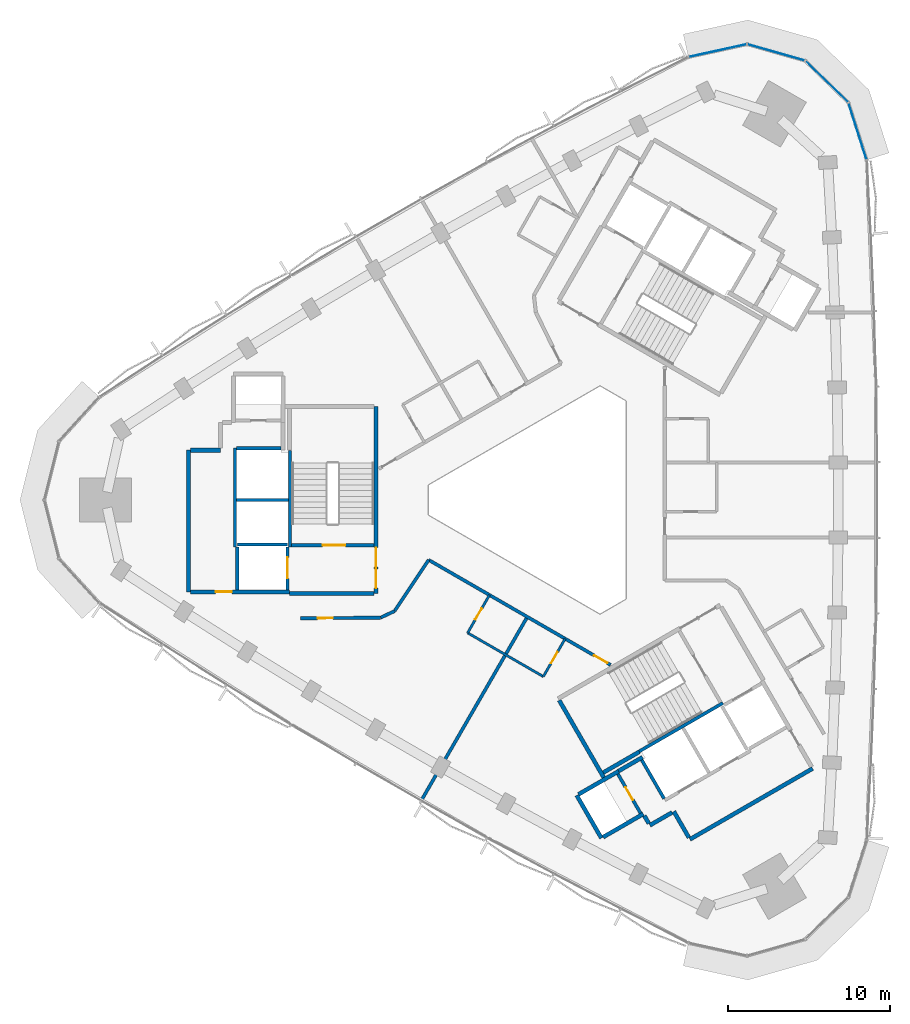
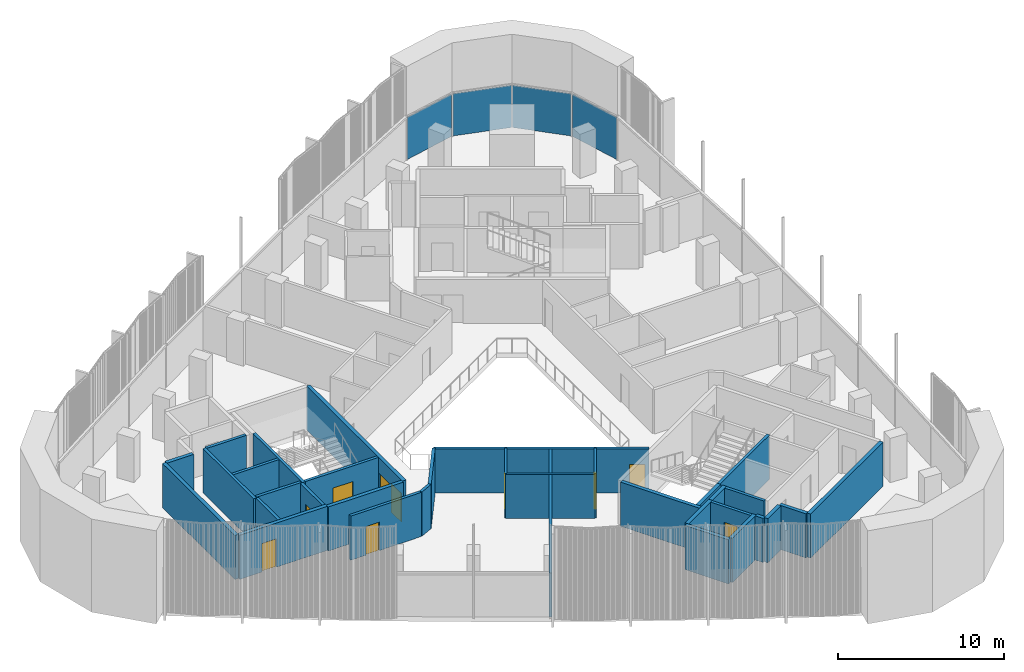
# One storey, part 7 of 13: 34 walls, 10 doors, 4 plates, 10 openings, 1 element without a shape of its own.
"""IFC4 building model written with IfcOpenShell, lengths in metres."""

from ifc_helpers import new_model, si_unit, direction, frame, frame_2d, origin, origin_2d, place, context, subcontext, project, spatial, rectangle, extrude, material, layer, layer_set, type_object, element, fill, aggregate, save


model = new_model("IFC4")

# Units and contexts
model_context = context("Model", 3, precision=1e-05, world=origin(), true_north=direction((0.0, 1.0)))
body_context = subcontext(model_context, "Body", "Model", "MODEL_VIEW")
ifc_project = project(units=[si_unit("LENGTHUNIT", "METRE"), si_unit("AREAUNIT", "SQUARE_METRE"), si_unit("VOLUMEUNIT", "CUBIC_METRE"), si_unit("PLANEANGLEUNIT", "RADIAN"), si_unit("MASSUNIT", "GRAM", prefix="KILO")], contexts=[model_context])

# Site, building, storey
site_placement = place(None, origin())
site = spatial("IfcSite", under=ifc_project, at=site_placement, CompositionType="ELEMENT")
building_placement = place(site_placement, origin())
building = spatial("IfcBuilding", under=site, at=building_placement, Name="Tamra Quay Hotel Tower", CompositionType="ELEMENT")
storey_placement = place(building_placement, frame((0.0, 0.0, 186.39990234375)))
storey = spatial("IfcBuildingStorey", under=building, at=storey_placement, Name="L46", CompositionType="ELEMENT", Elevation=186.39990234375)

# Curtain wall, plates
ifc_material_1 = material(Name="Aluminium 6063 anodised dark grey", Category="aluminium")
curtain_wall_type = type_object("IfcCurtainWallType", Name="CW1 CURTAIN WALL", PredefinedType="NOTDEFINED", material=ifc_material_1)
curtain_wall_placement = place(storey_placement, origin())
curtain_wall = element("IfcCurtainWall", 1, at=curtain_wall_placement, inside=storey, type_object=curtain_wall_type, Name="CW1 east face L46", PredefinedType="NOTDEFINED")
ifc_material_2 = material(Name="Glass clear laminated low-iron", Category="glass")
ifc_layer_1 = layer(ifc_material_2, 0.030029296875)
ifc_layer_set_1 = layer_set([ifc_layer_1], Name="GLASS PANEL CW1 Z4")
plate_type = type_object("IfcPlateType", Name="GLASS PANEL CW1 Z4", PredefinedType="CURTAIN_PANEL", material=ifc_layer_set_1)
plate_1_placement = place(storey_placement, frame((18.91064453125, 22.779541015625, 0.0), z_axis=(0.0, 0.0, 1.0), x_axis=(-0.303410479682, 0.952859948166, 0.0)))
plate_1 = element("IfcPlate", 2, at=plate_1_placement, type_object=plate_type, Name="CW1 glass L46.E.10", PredefinedType="CURTAIN_PANEL", context=body_context, shape_type="SweptSolid", body=[
    extrude(rectangle(XDim=3.62353515625, YDim=0.030029296875, at=origin_2d()), origin(), (0.0, 0.0, 1.0), 3.110107421875),
])
plate_2_placement = place(storey_placement, frame((17.009033203125, 25.849365234375, 0.0), z_axis=(0.0, 0.0, 1.0), x_axis=(-0.717974699393, 0.696069199888, 0.0)))
plate_2 = element("IfcPlate", 3, at=plate_2_placement, type_object=plate_type, Name="CW1 glass L46.E.11", PredefinedType="CURTAIN_PANEL", context=body_context, shape_type="SweptSolid", body=[
    extrude(rectangle(XDim=3.62353515625, YDim=0.030029296875, at=origin_2d()), origin(), (0.0, 0.0, 1.0), 3.110107421875),
])
plate_3_placement = place(storey_placement, frame((13.881591796875, 27.655029296875, 0.0), z_axis=(0.0, 0.0, 1.0), x_axis=(-0.961800959591, 0.273749729005, 0.0)))
plate_3 = element("IfcPlate", 4, at=plate_3_placement, type_object=plate_type, Name="CW1 glass L46.E.12", PredefinedType="CURTAIN_PANEL", context=body_context, shape_type="SweptSolid", body=[
    extrude(rectangle(XDim=3.62353515625, YDim=0.030029296875, at=origin_2d()), origin(), (0.0, 0.0, 1.0), 3.110107421875),
])
plate_4_placement = place(storey_placement, frame((10.272216796875, 27.766845703125, 0.0), z_axis=(0.0, 0.0, 1.0), x_axis=(-0.976906161202, -0.213668790904, 0.0)))
plate_4 = element("IfcPlate", 5, at=plate_4_placement, type_object=plate_type, Name="CW1 glass L46.E.13", PredefinedType="CURTAIN_PANEL", context=body_context, shape_type="SweptSolid", body=[
    extrude(rectangle(XDim=3.62353515625, YDim=0.030029296875, at=origin_2d()), origin(), (0.0, 0.0, 1.0), 3.110107421875),
])
aggregate(curtain_wall, [plate_1, plate_2, plate_3, plate_4])

# Walls
ifc_material_3 = material(Name="Concrete M70", Category="concrete")
ifc_layer_2 = layer(ifc_material_3, 0.199951171875)
ifc_layer_set_2 = layer_set([ifc_layer_2], Name="Concrete M70 core wall 200")
wall_type_1 = type_object("IfcWallType", Name="Concrete M70 core wall 200", PredefinedType="SHEAR", material=ifc_layer_set_2)
wall_1_placement = place(storey_placement, frame((-16.162109375, 3.073974609375, 0.0), z_axis=(0.0, 0.0, 1.0), x_axis=(0.0, -1.0, 0.0)))
element("IfcWall", 6, at=wall_1_placement, inside=storey, type_object=wall_type_1, Name="CW2", PredefinedType="SHEAR", context=body_context, shape_type="SweptSolid", body=[
    extrude(rectangle(XDim=5.97412109375, YDim=0.199951171875, at=frame_2d((2.987060546875, 0.0))), origin(), (0.0, 0.0, 1.0), 3.25),
])
wall_2_placement = place(storey_placement, frame((-19.5625, -2.900146484375, 0.0), z_axis=(0.0, 0.0, 1.0), x_axis=(0.0, 1.0, 0.0)))
element("IfcWall", 7, at=wall_2_placement, inside=storey, type_object=wall_type_1, Name="CW2", PredefinedType="SHEAR", context=body_context, shape_type="SweptSolid", body=[
    extrude(rectangle(XDim=6.100341796875, YDim=0.199951171875, at=frame_2d((3.05029296875, 0.0))), origin(), (0.0, 0.0, 1.0), 3.25),
])

# Wall, opening, door
wall_3_placement = place(storey_placement, frame((-10.96337890625, -2.800048828125, 0.0), z_axis=(0.0, 0.0, 1.0), x_axis=(-1.0, 0.0, 0.0)))
wall_3 = element("IfcWall", 8, at=wall_3_placement, inside=storey, type_object=wall_type_1, Name="CW2", PredefinedType="SHEAR", context=body_context, shape_type="SweptSolid", body=[
    extrude(rectangle(XDim=5.097900390625, YDim=0.199951171875, at=frame_2d((2.548828125, 0.0))), origin(), (0.0, 0.0, 1.0), 3.25),
])
opening_1_placement = place(wall_3_placement, frame((1.77392578125, 0.0, 0.0)))
opening_1 = element("IfcOpeningElement", 9, at=opening_1_placement, cuts=wall_3, Name="Opening FD2", PredefinedType="OPENING", context=body_context, shape_type="SweptSolid", body=[
    extrude(rectangle(XDim=1.39990234375, YDim=2.10009765625, at=frame_2d((0.699951171875, 1.050048828125))), frame((0.0, 0.10986328125, 0.0), z_axis=(0.0, -1.0, 0.0), x_axis=(1.0, 0.0, 0.0)), (0.0, 0.0, 1.0), 0.219970703125),
])
ifc_material_4 = material(Name="Core door FD2 1400x2100 LH")
door_type_1 = type_object("IfcDoorType", Name="Core door FD2 1400x2100 LH", OperationType="NOTDEFINED", PredefinedType="DOOR", material=ifc_material_4)
door_1_placement = place(opening_1_placement, origin())
door_1 = element("IfcDoor", 10, at=door_1_placement, inside=storey, type_object=door_type_1, Name="FD2", OperationType="SINGLE_SWING_LEFT", OverallHeight=2.10009765625, OverallWidth=1.39990234375, PredefinedType="DOOR", context=body_context, shape_type="SweptSolid", body=[
    extrude(rectangle(XDim=1.39990234375, YDim=2.10009765625, at=frame_2d((0.699951171875, 1.050048828125))), frame((0.0, 0.02490234375, 0.0), z_axis=(0.0, -1.0, 0.0), x_axis=(1.0, 0.0, 0.0)), (0.0, 0.0, 1.0), 0.050048828125),
])
fill(opening_1, door_1)

# Walls
wall_4_placement = place(storey_placement, frame((-16.26318359375, 0.0, 0.0), z_axis=(0.0, 0.0, 1.0), x_axis=(-1.0, 0.0, 0.0)))
element("IfcWall", 11, at=wall_4_placement, inside=storey, type_object=wall_type_1, Name="CW2", PredefinedType="SHEAR", context=body_context, shape_type="SweptSolid", body=[
    extrude(rectangle(XDim=3.1982421875, YDim=0.199951171875, at=frame_2d((1.59912109375, 0.0))), origin(), (0.0, 0.0, 1.0), 3.25),
])
wall_5_placement = place(storey_placement, frame((-19.46240234375, 3.2001953125, 0.0), z_axis=(0.0, 0.0, 1.0), x_axis=(1.0, 0.0, 0.0)))
element("IfcWall", 12, at=wall_5_placement, inside=storey, type_object=wall_type_1, Name="CW2", PredefinedType="SHEAR", context=body_context, shape_type="SweptSolid", body=[
    extrude(rectangle(XDim=2.759033203125, YDim=0.199951171875, at=frame_2d((1.37939453125, 0.0))), origin(), (0.0, 0.0, 1.0), 3.25),
])
wall_6_placement = place(storey_placement, frame((-19.412353515625, -2.75, 0.0), z_axis=(0.0, 0.0, 1.0), x_axis=(1.0, 0.0, 0.0)))
element("IfcWall", 13, at=wall_6_placement, inside=storey, type_object=wall_type_1, Name="CW2", PredefinedType="SHEAR", context=body_context, shape_type="SweptSolid", body=[
    extrude(rectangle(XDim=3.10009765625, YDim=0.199951171875, at=frame_2d((1.550048828125, 0.0))), origin(), (0.0, 0.0, 1.0), 3.25),
])

# Wall, opening, door
wall_7_placement = place(storey_placement, frame((-16.312255859375, -2.898193359375, 0.0), z_axis=(0.0, 0.0, 1.0), x_axis=(0.0, -1.0, 0.0)))
wall_7 = element("IfcWall", 14, at=wall_7_placement, inside=storey, type_object=wall_type_1, Name="CW2", PredefinedType="SHEAR", context=body_context, shape_type="SweptSolid", body=[
    extrude(rectangle(XDim=2.65087890625, YDim=0.199951171875, at=frame_2d((1.325439453125, 0.0))), origin(), (0.0, 0.0, 1.0), 3.25),
])
opening_2_placement = place(wall_7_placement, frame((0.65185546875, 0.0, 0.0)))
opening_2 = element("IfcOpeningElement", 15, at=opening_2_placement, cuts=wall_7, Name="Opening LD", PredefinedType="OPENING", context=body_context, shape_type="SweptSolid", body=[
    extrude(rectangle(XDim=1.300048828125, YDim=2.10009765625, at=frame_2d((0.64990234375, 1.050048828125))), frame((0.0, 0.10986328125, 0.0), z_axis=(0.0, -1.0, 0.0), x_axis=(1.0, 0.0, 0.0)), (0.0, 0.0, 1.0), 0.219970703125),
])
ifc_material_5 = material(Name="Landing door LD 1300 sliding to left")
door_type_2 = type_object("IfcDoorType", Name="Landing door LD 1300 sliding to left", OperationType="NOTDEFINED", PredefinedType="DOOR", material=ifc_material_5)
door_2_placement = place(opening_2_placement, origin())
door_2 = element("IfcDoor", 16, at=door_2_placement, inside=storey, type_object=door_type_2, Name="LD", OperationType="SLIDING_TO_LEFT", OverallHeight=2.10009765625, OverallWidth=1.300048828125, PredefinedType="DOOR", context=body_context, shape_type="SweptSolid", body=[
    extrude(rectangle(XDim=1.300048828125, YDim=2.10009765625, at=frame_2d((0.64990234375, 1.050048828125))), frame((0.0, 0.02490234375, 0.0), z_axis=(0.0, -1.0, 0.0), x_axis=(1.0, 0.0, 0.0)), (0.0, 0.0, 1.0), 0.050048828125),
])
fill(opening_2, door_2)

# Walls
wall_8_placement = place(storey_placement, frame((-19.412353515625, -5.549072265625, 0.0), z_axis=(0.0, 0.0, 1.0), x_axis=(0.0, 1.0, 0.0)))
element("IfcWall", 17, at=wall_8_placement, inside=storey, type_object=wall_type_1, Name="CW2", PredefinedType="SHEAR", context=body_context, shape_type="SweptSolid", body=[
    extrude(rectangle(XDim=2.65087890625, YDim=0.199951171875, at=frame_2d((1.325439453125, 0.0))), origin(), (0.0, 0.0, 1.0), 3.25),
])
wall_9_placement = place(storey_placement, frame((5.4189453125, -15.533935546875, 0.0), z_axis=(0.0, 0.0, 1.0), x_axis=(0.866029065029, 0.499993658486, 0.0)))
element("IfcWall", 18, at=wall_9_placement, inside=storey, type_object=wall_type_1, Name="CW2", PredefinedType="SHEAR", context=body_context, shape_type="SweptSolid", body=[
    extrude(rectangle(XDim=5.97412109375, YDim=0.199951171875, at=frame_2d((2.987060546875, 0.0))), origin(), (0.0, 0.0, 1.0), 3.25),
])

# Wall, opening, door
wall_10_placement = place(storey_placement, frame((5.50341796875, -19.352294921875, 0.0), z_axis=(0.0, 0.0, 1.0), x_axis=(-0.499986818241, 0.866033014143, 0.0)))
wall_10 = element("IfcWall", 19, at=wall_10_placement, inside=storey, type_object=wall_type_1, Name="CW2", PredefinedType="SHEAR", context=body_context, shape_type="SweptSolid", body=[
    extrude(rectangle(XDim=2.7978515625, YDim=0.199951171875, at=frame_2d((1.39892578125, 0.0))), origin(), (0.0, 0.0, 1.0), 3.25),
])
opening_3_placement = place(wall_10_placement, frame((0.948974609375, 0.0, 0.0)))
opening_3 = element("IfcOpeningElement", 20, at=opening_3_placement, cuts=wall_10, Name="Opening D1", PredefinedType="OPENING", context=body_context, shape_type="SweptSolid", body=[
    extrude(rectangle(XDim=0.89990234375, YDim=2.10009765625, at=frame_2d((0.449951171875, 1.050048828125))), frame((0.0, 0.10986328125, 0.0), z_axis=(0.0, -1.0, 0.0), x_axis=(1.0, 0.0, 0.0)), (0.0, 0.0, 1.0), 0.219970703125),
])
ifc_material_6 = material(Name="Core door D1 900x2100 LH")
door_type_3 = type_object("IfcDoorType", Name="Core door D1 900x2100 LH", OperationType="NOTDEFINED", PredefinedType="DOOR", material=ifc_material_6)
door_3_placement = place(opening_3_placement, origin())
door_3 = element("IfcDoor", 21, at=door_3_placement, inside=storey, type_object=door_type_3, Name="D1", OperationType="SINGLE_SWING_LEFT", OverallHeight=2.10009765625, OverallWidth=0.89990234375, PredefinedType="DOOR", context=body_context, shape_type="SweptSolid", body=[
    extrude(rectangle(XDim=0.89990234375, YDim=2.10009765625, at=frame_2d((0.449951171875, 1.050048828125))), frame((0.0, 0.02490234375, 0.0), z_axis=(0.0, -1.0, 0.0), x_axis=(1.0, 0.0, 0.0)), (0.0, 0.0, 1.0), 0.050048828125),
])
fill(opening_3, door_3)

# Wall
wall_11_placement = place(storey_placement, frame((6.959716796875, -18.455078125, 0.0), z_axis=(0.0, 0.0, 1.0), x_axis=(-0.499926705758, 0.866067716099, 0.0)))
element("IfcWall", 22, at=wall_11_placement, inside=storey, type_object=wall_type_1, Name="CW2", PredefinedType="SHEAR", context=body_context, shape_type="SweptSolid", body=[
    extrude(rectangle(XDim=2.75927734375, YDim=0.199951171875, at=frame_2d((1.379638671875, 0.0))), origin(), (0.0, 0.0, 1.0), 3.25),
])

# Wall, openings, doors
ifc_layer_3 = layer(ifc_material_3, 0.25)
ifc_layer_set_3 = layer_set([ifc_layer_3], Name="Concrete M70 core wall 250")
wall_type_2 = type_object("IfcWallType", Name="Concrete M70 core wall 250", PredefinedType="SHEAR", material=ifc_layer_set_3)
wall_12_placement = place(storey_placement, frame((-10.83740234375, 5.77490234375, 0.0), z_axis=(0.0, 0.0, 1.0), x_axis=(0.0, -1.0, 0.0)))
wall_12 = element("IfcWall", 23, at=wall_12_placement, inside=storey, type_object=wall_type_2, Name="CW1", PredefinedType="SHEAR", context=body_context, shape_type="SweptSolid", body=[
    extrude(rectangle(XDim=11.5498046875, YDim=0.25, at=frame_2d((5.77490234375, 0.0))), origin(), (0.0, 0.0, 1.0), 3.25),
])
opening_4_placement = place(wall_12_placement, frame((10.02490234375, 0.0, 0.0)))
opening_4 = element("IfcOpeningElement", 24, at=opening_4_placement, cuts=wall_12, Name="Opening FD1", PredefinedType="OPENING", context=body_context, shape_type="SweptSolid", body=[
    extrude(rectangle(XDim=1.199951171875, YDim=2.10009765625, at=frame_2d((0.60009765625, 1.050048828125))), frame((0.0, 0.135009765625, 0.0), z_axis=(0.0, -1.0, 0.0), x_axis=(1.0, 0.0, 0.0)), (0.0, 0.0, 1.0), 0.27001953125),
])
opening_5_placement = place(wall_12_placement, frame((8.72509765625, 0.0, 0.0)))
opening_5 = element("IfcOpeningElement", 25, at=opening_5_placement, cuts=wall_12, Name="Opening FD1", PredefinedType="OPENING", context=body_context, shape_type="SweptSolid", body=[
    extrude(rectangle(XDim=1.199951171875, YDim=2.10009765625, at=frame_2d((0.60009765625, 1.050048828125))), frame((0.0, 0.135009765625, 0.0), z_axis=(0.0, -1.0, 0.0), x_axis=(1.0, 0.0, 0.0)), (0.0, 0.0, 1.0), 0.27001953125),
])
ifc_material_7 = material(Name="Core door FD1 1200x2100 LH")
door_type_4 = type_object("IfcDoorType", Name="Core door FD1 1200x2100 LH", OperationType="NOTDEFINED", PredefinedType="DOOR", material=ifc_material_7)
door_4_placement = place(opening_4_placement, origin())
door_4 = element("IfcDoor", 26, at=door_4_placement, inside=storey, type_object=door_type_4, Name="FD1", OperationType="SINGLE_SWING_LEFT", OverallHeight=2.10009765625, OverallWidth=1.199951171875, PredefinedType="DOOR", context=body_context, shape_type="SweptSolid", body=[
    extrude(rectangle(XDim=1.199951171875, YDim=2.10009765625, at=frame_2d((0.60009765625, 1.050048828125))), frame((0.0, 0.02490234375, 0.0), z_axis=(0.0, -1.0, 0.0), x_axis=(1.0, 0.0, 0.0)), (0.0, 0.0, 1.0), 0.050048828125),
])
fill(opening_4, door_4)
ifc_material_8 = material(Name="Core door FD1 1200x2100 RH")
door_type_5 = type_object("IfcDoorType", Name="Core door FD1 1200x2100 RH", OperationType="NOTDEFINED", PredefinedType="DOOR", material=ifc_material_8)
door_5_placement = place(opening_5_placement, origin())
door_5 = element("IfcDoor", 27, at=door_5_placement, inside=storey, type_object=door_type_5, Name="FD1", OperationType="SINGLE_SWING_RIGHT", OverallHeight=2.10009765625, OverallWidth=1.199951171875, PredefinedType="DOOR", context=body_context, shape_type="SweptSolid", body=[
    extrude(rectangle(XDim=1.199951171875, YDim=2.10009765625, at=frame_2d((0.60009765625, 1.050048828125))), frame((0.0, 0.02490234375, 0.0), z_axis=(0.0, -1.0, 0.0), x_axis=(1.0, 0.0, 0.0)), (0.0, 0.0, 1.0), 0.050048828125),
])
fill(opening_5, door_5)

# Wall
wall_13_placement = place(storey_placement, frame((-22.437255859375, -5.675048828125, 0.0), z_axis=(0.0, 0.0, 1.0), x_axis=(0.0, 1.0, 0.0)))
element("IfcWall", 28, at=wall_13_placement, inside=storey, type_object=wall_type_2, Name="CW1", PredefinedType="SHEAR", context=body_context, shape_type="SweptSolid", body=[
    extrude(rectangle(XDim=8.75, YDim=0.25, at=frame_2d((4.375, 0.0))), origin(), (0.0, 0.0, 1.0), 3.25),
])

# Wall, opening, door
wall_14_placement = place(storey_placement, frame((-16.187255859375, -5.675048828125, 0.0), z_axis=(0.0, 0.0, 1.0), x_axis=(-1.0, 0.0, 0.0)))
wall_14 = element("IfcWall", 29, at=wall_14_placement, inside=storey, type_object=wall_type_2, Name="CW1", PredefinedType="SHEAR", context=body_context, shape_type="SweptSolid", body=[
    extrude(rectangle(XDim=6.12451171875, YDim=0.25, at=frame_2d((3.062255859375, 0.0))), origin(), (0.0, 0.0, 1.0), 3.25),
])
opening_6_placement = place(wall_14_placement, frame((3.562744140625, 0.0, 0.0)))
opening_6 = element("IfcOpeningElement", 30, at=opening_6_placement, cuts=wall_14, Name="Opening FD3", PredefinedType="OPENING", context=body_context, shape_type="SweptSolid", body=[
    extrude(rectangle(XDim=1.0, YDim=2.10009765625, at=frame_2d((0.5, 1.050048828125))), frame((0.0, 0.135009765625, 0.0), z_axis=(0.0, -1.0, 0.0), x_axis=(1.0, 0.0, 0.0)), (0.0, 0.0, 1.0), 0.27001953125),
])
ifc_material_9 = material(Name="Core door FD3 1000x2100 LH")
door_type_6 = type_object("IfcDoorType", Name="Core door FD3 1000x2100 LH", OperationType="NOTDEFINED", PredefinedType="DOOR", material=ifc_material_9)
door_6_placement = place(opening_6_placement, origin())
door_6 = element("IfcDoor", 31, at=door_6_placement, inside=storey, type_object=door_type_6, Name="FD3", OperationType="SINGLE_SWING_LEFT", OverallHeight=2.10009765625, OverallWidth=1.0, PredefinedType="DOOR", context=body_context, shape_type="SweptSolid", body=[
    extrude(rectangle(XDim=1.0, YDim=2.10009765625, at=frame_2d((0.5, 1.050048828125))), frame((0.0, 0.02490234375, 0.0), z_axis=(0.0, -1.0, 0.0), x_axis=(1.0, 0.0, 0.0)), (0.0, 0.0, 1.0), 0.050048828125),
])
fill(opening_6, door_6)

# Walls
wall_15_placement = place(storey_placement, frame((-10.962646484375, -5.77490234375, 0.0), z_axis=(0.0, 0.0, 1.0), x_axis=(-1.0, 0.0, 0.0)))
element("IfcWall", 32, at=wall_15_placement, inside=storey, type_object=wall_type_2, Name="CW1", PredefinedType="SHEAR", context=body_context, shape_type="SweptSolid", body=[
    extrude(rectangle(XDim=5.224609375, YDim=0.25, at=frame_2d((2.6123046875, 0.0))), origin(), (0.0, 0.0, 1.0), 3.25),
])
wall_16_placement = place(storey_placement, frame((-22.311767578125, 3.074951171875, 0.0), z_axis=(0.0, 0.0, 1.0), x_axis=(1.0, 0.0, 0.0)))
element("IfcWall", 33, at=wall_16_placement, inside=storey, type_object=wall_type_2, Name="CW1", PredefinedType="SHEAR", context=body_context, shape_type="SweptSolid", body=[
    extrude(rectangle(XDim=1.864501953125, YDim=0.25, at=frame_2d((0.93212890625, 0.0))), origin(), (0.0, 0.0, 1.0), 3.25),
])
wall_17_placement = place(storey_placement, frame((16.13330078125, -16.59375, 0.0), z_axis=(0.0, 0.0, 1.0), x_axis=(-0.866022959057, -0.500004234368, 0.0)))
element("IfcWall", 34, at=wall_17_placement, inside=storey, type_object=wall_type_2, Name="CW1", PredefinedType="SHEAR", context=body_context, shape_type="SweptSolid", body=[
    extrude(rectangle(XDim=8.75, YDim=0.25, at=frame_2d((4.375, 0.0))), origin(), (0.0, 0.0, 1.0), 3.25),
])
wall_18_placement = place(storey_placement, frame((3.23486328125, -17.15283203125, 0.0), z_axis=(0.0, 0.0, 1.0), x_axis=(-0.500008851346, 0.866020293397, 0.0)))
element("IfcWall", 35, at=wall_18_placement, inside=storey, type_object=wall_type_2, Name="CW1", PredefinedType="SHEAR", context=body_context, shape_type="SweptSolid", body=[
    extrude(rectangle(XDim=5.509765625, YDim=0.25, at=frame_2d((2.7548828125, 0.0))), origin(), (0.0, 0.0, 1.0), 3.25),
])
wall_19_placement = place(storey_placement, frame((3.085205078125, -20.893798828125, 0.0), z_axis=(0.0, 0.0, 1.0), x_axis=(-0.499978833458, 0.866037623948, 0.0)))
element("IfcWall", 36, at=wall_19_placement, inside=storey, type_object=wall_type_2, Name="CW1", PredefinedType="SHEAR", context=body_context, shape_type="SweptSolid", body=[
    extrude(rectangle(XDim=3.050048828125, YDim=0.25, at=frame_2d((1.52490234375, 0.0))), origin(), (0.0, 0.0, 1.0), 3.25),
])
wall_20_placement = place(storey_placement, frame((1.6689453125, -18.189697265625, 0.0), z_axis=(0.0, 0.0, 1.0), x_axis=(0.866042235819, 0.499970844928, 0.0)))
element("IfcWall", 37, at=wall_20_placement, inside=storey, type_object=wall_type_2, Name="CW1", PredefinedType="SHEAR", context=body_context, shape_type="SweptSolid", body=[
    extrude(rectangle(XDim=2.864501953125, YDim=0.25, at=frame_2d((1.43212890625, 0.0))), origin(), (0.0, 0.0, 1.0), 3.25),
])
wall_21_placement = place(storey_placement, frame((5.6748046875, -19.39892578125, 0.0), z_axis=(0.0, 0.0, 1.0), x_axis=(-0.866026637627, -0.499997862916, 0.0)))
element("IfcWall", 38, at=wall_21_placement, inside=storey, type_object=wall_type_2, Name="CW1", PredefinedType="SHEAR", context=body_context, shape_type="SweptSolid", body=[
    extrude(rectangle(XDim=2.86474609375, YDim=0.25, at=frame_2d((1.432373046875, 0.0))), origin(), (0.0, 0.0, 1.0), 3.25),
])
wall_22_placement = place(storey_placement, frame((5.4306640625, -15.55615234375, 0.0), z_axis=(0.0, 0.0, 1.0), x_axis=(-0.866022940537, -0.500004266446, 0.0)))
element("IfcWall", 39, at=wall_22_placement, inside=storey, type_object=wall_type_2, Name="CW1", PredefinedType="SHEAR", context=body_context, shape_type="SweptSolid", body=[
    extrude(rectangle(XDim=2.57470703125, YDim=0.25, at=frame_2d((1.287353515625, 0.0))), origin(), (0.0, 0.0, 1.0), 3.25),
])
wall_23_placement = place(storey_placement, frame((8.492919921875, -20.860107421875, 0.0), z_axis=(0.0, 0.0, 1.0), x_axis=(-0.500039802285, 0.866002422705, 0.0)))
element("IfcWall", 40, at=wall_23_placement, inside=storey, type_object=wall_type_2, Name="CW1", PredefinedType="SHEAR", context=body_context, shape_type="SweptSolid", body=[
    extrude(rectangle(XDim=1.864501953125, YDim=0.25, at=frame_2d((0.93212890625, 0.0))), origin(), (0.0, 0.0, 1.0), 3.25),
])
wall_24_placement = place(storey_placement, frame((4.144775390625, -16.748779296875, 0.0), z_axis=(0.0, 0.0, 1.0), x_axis=(0.866038183914, 0.499977863513, 0.0)))
element("IfcWall", 41, at=wall_24_placement, inside=storey, type_object=wall_type_2, Name="CW1", PredefinedType="SHEAR", context=body_context, shape_type="SweptSolid", body=[
    extrude(rectangle(XDim=1.7099609375, YDim=0.25, at=frame_2d((0.85498046875, 0.0))), origin(), (0.0, 0.0, 1.0), 3.25),
])
wall_25_placement = place(storey_placement, frame((7.451904296875, -19.30810546875, 0.0), z_axis=(0.0, 0.0, 1.0), x_axis=(-0.866044474677, -0.49996696679, 0.0)))
element("IfcWall", 42, at=wall_25_placement, inside=storey, type_object=wall_type_2, Name="CW1", PredefinedType="SHEAR", context=body_context, shape_type="SweptSolid", body=[
    extrude(rectangle(XDim=1.58447265625, YDim=0.25, at=frame_2d((0.792236328125, 0.0))), origin(), (0.0, 0.0, 1.0), 3.25),
])
wall_26_placement = place(storey_placement, frame((6.01708984375, -19.99169921875, 0.0), z_axis=(0.0, 0.0, 1.0), x_axis=(-0.500364886717, 0.865814633822, 0.0)))
element("IfcWall", 43, at=wall_26_placement, inside=storey, type_object=wall_type_2, Name="CW1", PredefinedType="SHEAR", context=body_context, shape_type="SweptSolid", body=[
    extrude(rectangle(XDim=0.55908203125, YDim=0.25, at=frame_2d((0.279541015625, 0.0))), origin(), (0.0, 0.0, 1.0), 3.25),
])

# Wall, opening, door
ifc_material_10 = material(Name="Partition corridor wall")
ifc_layer_4 = layer(ifc_material_10, 0.199951171875)
ifc_layer_set_4 = layer_set([ifc_layer_4], Name="Partition corridor wall")
wall_type_3 = type_object("IfcWallType", Name="Partition corridor wall", PredefinedType="PARTITIONING", material=ifc_layer_set_4)
wall_27_placement = place(storey_placement, frame((-15.5, -7.31005859375, 0.0), z_axis=(0.0, 0.0, 1.0), x_axis=(0.999965631649, 0.008290688749, 0.0)))
wall_27 = element("IfcWall", 44, at=wall_27_placement, inside=storey, type_object=wall_type_3, Name="W-C", PredefinedType="PARTITIONING", context=body_context, shape_type="SweptSolid", body=[
    extrude(rectangle(XDim=4.947265625, YDim=0.199951171875, at=frame_2d((2.4736328125, 0.0))), origin(), (0.0, 0.0, 1.0), 3.25),
])
opening_7_placement = place(wall_27_placement, frame((1.047119140625, 0.0, 0.0)))
opening_7 = element("IfcOpeningElement", 45, at=opening_7_placement, cuts=wall_27, Name="Opening L46-D007", PredefinedType="OPENING", context=body_context, shape_type="SweptSolid", body=[
    extrude(rectangle(XDim=0.949951171875, YDim=2.10009765625, at=frame_2d((0.47509765625, 1.050048828125))), frame((0.0, 0.10986328125, 0.0), z_axis=(0.0, -1.0, 0.0), x_axis=(1.0, 0.0, 0.0)), (0.0, 0.0, 1.0), 0.219970703125),
])
ifc_material_11 = material(Name="Door guest room 950x2100")
door_type_7 = type_object("IfcDoorType", Name="Door guest room 950x2100", OperationType="NOTDEFINED", PredefinedType="DOOR", material=ifc_material_11)
door_7_placement = place(opening_7_placement, frame((0.949951171875, 0.0, 0.0), z_axis=(0.0, 0.0, 1.0), x_axis=(-1.0, 0.0, 0.0)))
door_7 = element("IfcDoor", 46, at=door_7_placement, inside=storey, type_object=door_type_7, Name="L46-D007", OperationType="SINGLE_SWING_LEFT", OverallHeight=2.10009765625, OverallWidth=0.949951171875, PredefinedType="DOOR", context=body_context, shape_type="SweptSolid", body=[
    extrude(rectangle(XDim=0.949951171875, YDim=2.10009765625, at=frame_2d((0.47509765625, 1.050048828125))), frame((0.0, 0.02490234375, 0.0), z_axis=(0.0, -1.0, 0.0), x_axis=(1.0, 0.0, 0.0)), (0.0, 0.0, 1.0), 0.050048828125),
])
fill(opening_7, door_7)

# Walls
wall_28_placement = place(storey_placement, frame((-10.552001953125, -7.26806640625, 0.0), z_axis=(0.0, 0.0, 1.0), x_axis=(0.904331815333, 0.426830139255, 0.0)))
element("IfcWall", 47, at=wall_28_placement, inside=storey, type_object=wall_type_3, Name="W-C", PredefinedType="PARTITIONING", context=body_context, shape_type="SweptSolid", body=[
    extrude(rectangle(XDim=0.9443359375, YDim=0.199951171875, at=frame_2d((0.47216796875, 0.0))), origin(), (0.0, 0.0, 1.0), 3.25),
])
wall_29_placement = place(storey_placement, frame((-9.697021484375, -6.864013671875, 0.0), z_axis=(0.0, 0.0, 1.0), x_axis=(0.554670545446, 0.832070060761, 0.0)))
element("IfcWall", 48, at=wall_29_placement, inside=storey, type_object=wall_type_3, Name="W-C", PredefinedType="PARTITIONING", context=body_context, shape_type="SweptSolid", body=[
    extrude(rectangle(XDim=3.80029296875, YDim=0.199951171875, at=frame_2d((1.900146484375, 0.0))), origin(), (0.0, 0.0, 1.0), 3.25),
])

# Wall, opening, door
wall_30_placement = place(storey_placement, frame((-7.589111328125, -3.701904296875, 0.0), z_axis=(0.0, 0.0, 1.0), x_axis=(0.86602490244, -0.500000868353, 0.0)))
wall_30 = element("IfcWall", 49, at=wall_30_placement, inside=storey, type_object=wall_type_3, Name="W-C", PredefinedType="PARTITIONING", context=body_context, shape_type="SweptSolid", body=[
    extrude(rectangle(XDim=12.97998046875, YDim=0.199951171875, at=frame_2d((6.489990234375, 0.0))), origin(), (0.0, 0.0, 1.0), 3.25),
])
opening_8_placement = place(wall_30_placement, frame((11.80029296875, 0.0, 0.0)))
opening_8 = element("IfcOpeningElement", 50, at=opening_8_placement, cuts=wall_30, Name="Opening L46-D009", PredefinedType="OPENING", context=body_context, shape_type="SweptSolid", body=[
    extrude(rectangle(XDim=0.949951171875, YDim=2.10009765625, at=frame_2d((0.47509765625, 1.050048828125))), frame((0.0, 0.10986328125, 0.0), z_axis=(0.0, -1.0, 0.0), x_axis=(1.0, 0.0, 0.0)), (0.0, 0.0, 1.0), 0.219970703125),
])
door_8_placement = place(opening_8_placement, frame((0.949951171875, 0.0, 0.0), z_axis=(0.0, 0.0, 1.0), x_axis=(-1.0, 0.0, 0.0)))
door_8 = element("IfcDoor", 51, at=door_8_placement, inside=storey, type_object=door_type_7, Name="L46-D009", OperationType="SINGLE_SWING_LEFT", OverallHeight=2.10009765625, OverallWidth=0.949951171875, PredefinedType="DOOR", context=body_context, shape_type="SweptSolid", body=[
    extrude(rectangle(XDim=0.949951171875, YDim=2.10009765625, at=frame_2d((0.47509765625, 1.050048828125))), frame((0.0, 0.02490234375, 0.0), z_axis=(0.0, -1.0, 0.0), x_axis=(1.0, 0.0, 0.0)), (0.0, 0.0, 1.0), 0.050048828125),
])
fill(opening_8, door_8)

ifc_material_12 = material(Name="Partition en-suite wall")
ifc_layer_5 = layer(ifc_material_12, 0.14990234375)
ifc_layer_set_5 = layer_set([ifc_layer_5], Name="Partition en-suite wall")
wall_type_4 = type_object("IfcWallType", Name="Partition en-suite wall", PredefinedType="PARTITIONING", material=ifc_layer_set_5)
wall_31_placement = place(storey_placement, frame((-5.178955078125, -8.2080078125, 0.0), z_axis=(0.0, 0.0, 1.0), x_axis=(0.500061949227, 0.865989634427, 0.0)))
wall_31 = element("IfcWall", 52, at=wall_31_placement, inside=storey, type_object=wall_type_4, Name="W-E", PredefinedType="PARTITIONING", context=body_context, shape_type="SweptSolid", body=[
    extrude(rectangle(XDim=2.697509765625, YDim=0.14990234375, at=frame_2d((1.3486328125, 0.0))), origin(), (0.0, 0.0, 1.0), 3.25),
])
opening_9_placement = place(wall_31_placement, frame((0.947509765625, 0.0, 0.0)))
opening_9 = element("IfcOpeningElement", 53, at=opening_9_placement, cuts=wall_31, Name="Opening L46-D008", PredefinedType="OPENING", context=body_context, shape_type="SweptSolid", body=[
    extrude(rectangle(XDim=0.800048828125, YDim=2.10009765625, at=frame_2d((0.39990234375, 1.050048828125))), frame((0.0, 0.0849609375, 0.0), z_axis=(0.0, -1.0, 0.0), x_axis=(1.0, 0.0, 0.0)), (0.0, 0.0, 1.0), 0.169921875),
])
ifc_material_13 = material(Name="Door en-suite 800x2100")
door_type_8 = type_object("IfcDoorType", Name="Door en-suite 800x2100", OperationType="NOTDEFINED", PredefinedType="DOOR", material=ifc_material_13)
door_9_placement = place(opening_9_placement, origin())
door_9 = element("IfcDoor", 54, at=door_9_placement, inside=storey, type_object=door_type_8, Name="L46-D008", OperationType="SINGLE_SWING_LEFT", OverallHeight=2.10009765625, OverallWidth=0.800048828125, PredefinedType="DOOR", context=body_context, shape_type="SweptSolid", body=[
    extrude(rectangle(XDim=0.800048828125, YDim=2.10009765625, at=frame_2d((0.39990234375, 1.050048828125))), frame((0.0, 0.02490234375, 0.0), z_axis=(0.0, -1.0, 0.0), x_axis=(1.0, 0.0, 0.0)), (0.0, 0.0, 1.0), 0.050048828125),
])
fill(opening_9, door_9)

# Wall
wall_32_placement = place(storey_placement, frame((-5.177978515625, -8.2109375, 0.0), z_axis=(0.0, 0.0, 1.0), x_axis=(0.866046199912, -0.49996397832, 0.0)))
element("IfcWall", 55, at=wall_32_placement, inside=storey, type_object=wall_type_4, Name="W-E", PredefinedType="PARTITIONING", context=body_context, shape_type="SweptSolid", body=[
    extrude(rectangle(XDim=5.39599609375, YDim=0.14990234375, at=frame_2d((2.697998046875, 0.0))), origin(), (0.0, 0.0, 1.0), 3.25),
])

# Wall, opening, door
wall_33_placement = place(storey_placement, frame((-0.501953125, -10.907958984375, 0.0), z_axis=(0.0, 0.0, 1.0), x_axis=(0.499675408556, 0.866212725654, 0.0)))
wall_33 = element("IfcWall", 56, at=wall_33_placement, inside=storey, type_object=wall_type_4, Name="W-E", PredefinedType="PARTITIONING", context=body_context, shape_type="SweptSolid", body=[
    extrude(rectangle(XDim=2.695556640625, YDim=0.14990234375, at=frame_2d((1.34765625, 0.0))), origin(), (0.0, 0.0, 1.0), 3.25),
])
opening_10_placement = place(wall_33_placement, frame((0.947509765625, 0.0, 0.0)))
opening_10 = element("IfcOpeningElement", 57, at=opening_10_placement, cuts=wall_33, Name="Opening L46-D010", PredefinedType="OPENING", context=body_context, shape_type="SweptSolid", body=[
    extrude(rectangle(XDim=0.800048828125, YDim=2.10009765625, at=frame_2d((0.39990234375, 1.050048828125))), frame((0.0, 0.0849609375, 0.0), z_axis=(0.0, -1.0, 0.0), x_axis=(1.0, 0.0, 0.0)), (0.0, 0.0, 1.0), 0.169921875),
])
door_10_placement = place(opening_10_placement, frame((0.800048828125, 0.0, 0.0), z_axis=(0.0, 0.0, 1.0), x_axis=(-1.0, 0.0, 0.0)))
door_10 = element("IfcDoor", 58, at=door_10_placement, inside=storey, type_object=door_type_8, Name="L46-D010", OperationType="SINGLE_SWING_LEFT", OverallHeight=2.10009765625, OverallWidth=0.800048828125, PredefinedType="DOOR", context=body_context, shape_type="SweptSolid", body=[
    extrude(rectangle(XDim=0.800048828125, YDim=2.10009765625, at=frame_2d((0.39990234375, 1.050048828125))), frame((0.0, 0.02490234375, 0.0), z_axis=(0.0, -1.0, 0.0), x_axis=(1.0, 0.0, 0.0)), (0.0, 0.0, 1.0), 0.050048828125),
])
fill(opening_10, door_10)

# Wall
ifc_material_14 = material(Name="Partition party wall")
ifc_layer_6 = layer(ifc_material_14, 0.199951171875)
ifc_layer_set_6 = layer_set([ifc_layer_6], Name="Partition party wall")
wall_type_5 = type_object("IfcWallType", Name="Partition party wall", PredefinedType="PARTITIONING", material=ifc_layer_set_6)
wall_34_placement = place(storey_placement, frame((-8.05126953125, -18.582275390625, 0.0), z_axis=(0.0, 0.0, 1.0), x_axis=(0.500024249232, 0.866011403031, 0.0)))
element("IfcWall", 59, at=wall_34_placement, inside=storey, type_object=wall_type_5, Name="W-P", PredefinedType="PARTITIONING", context=body_context, shape_type="SweptSolid", body=[
    extrude(rectangle(XDim=13.117919921875, YDim=0.199951171875, at=frame_2d((6.55908203125, 0.0))), origin(), (0.0, 0.0, 1.0), 3.25),
])

save(model, "model.ifc")
